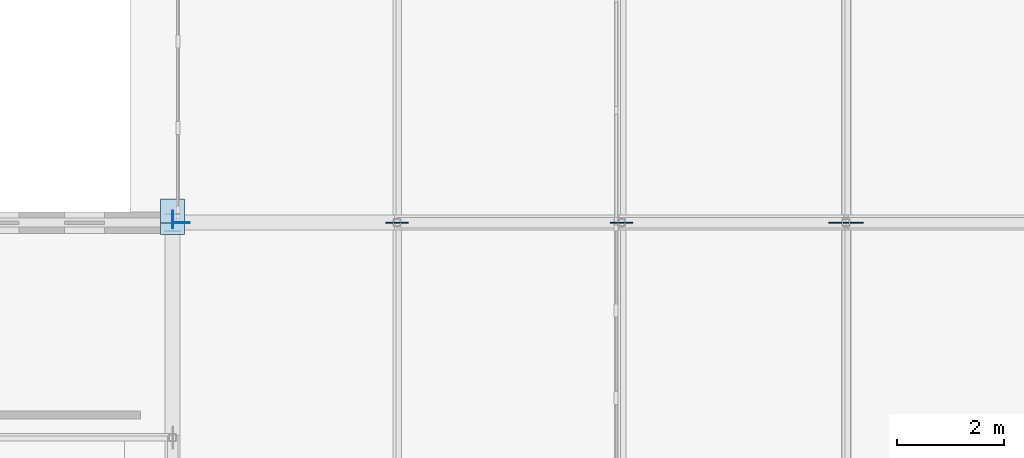
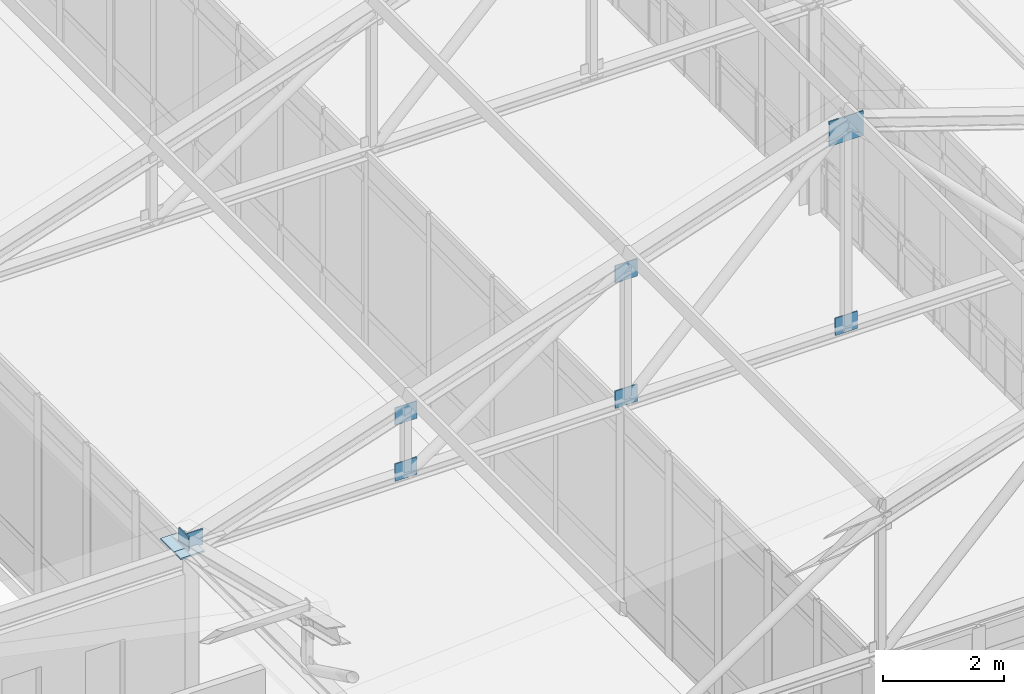
# One storey, part 140 of 192: 10 plates.
"""IFC4 building model written with IfcOpenShell, lengths in metres."""

from ifc_helpers import new_model, si_unit, direction, frame, origin, origin_2d, place, context, subcontext, project, spatial, rectangle, extrude, material, layer, layer_set, type_object, element, save


model = new_model("IFC4")

# Units and contexts
model_context = context("Model", 3, precision=1e-05, world=origin(), true_north=direction((0.0, 1.0)))
body_context = subcontext(model_context, "Body", "Model", "MODEL_VIEW")
ifc_project = project(units=[si_unit("LENGTHUNIT", "METRE"), si_unit("AREAUNIT", "SQUARE_METRE"), si_unit("VOLUMEUNIT", "CUBIC_METRE"), si_unit("PLANEANGLEUNIT", "RADIAN"), si_unit("MASSUNIT", "GRAM", prefix="KILO")], contexts=[model_context])

# Site, building, storey
site_placement = place(None, origin())
site = spatial("IfcSite", under=ifc_project, at=site_placement, CompositionType="ELEMENT")
building_placement = place(site_placement, origin())
building = spatial("IfcBuilding", under=site, at=building_placement, Name="Kveldsbrygga Polytechnic", CompositionType="ELEMENT")
storey_placement = place(building_placement, frame((0.0, 0.0, 5.43994140625)))
storey = spatial("IfcBuildingStorey", under=building, at=storey_placement, Name="L01", CompositionType="ELEMENT", Elevation=5.43994140625)

# Plates
ifc_material = material(Name="Steel S355", Category="steel")
ifc_layer_1 = layer(ifc_material, 0.030029296875)
ifc_layer_set_1 = layer_set([ifc_layer_1], Name="Steel S355")
plate_type_1 = type_object("IfcPlateType", Name="CAP-BEAR-450", PredefinedType="SHEET", material=ifc_layer_set_1)
for number, where, z_axis, x_axis, name in (
    (1, (50.39990234375, 25.419921875, 4.08984375), (0.0, 0.0, 1.0), (1.0, 0.0, 0.0), "Truss Bearing Plate V5S-T07-B"),
    (2, (50.39990234375, 25.199951171875, 4.08984375), (0.0, 0.0, 1.0), (1.0, 0.0, 0.0), "Truss Bearing Plate V5C-T03-A"),
):
    element("IfcPlate", number, at=place(storey_placement, frame(where, z_axis=z_axis, x_axis=x_axis)), inside=storey, type_object=plate_type_1, Name=name, PredefinedType="SHEET", context=body_context, shape_type="SweptSolid", body=[
        extrude(rectangle(XDim=0.449951171875, YDim=0.449951171875, at=origin_2d()), origin(), (0.0, 0.0, 1.0), 0.030029296875),
    ])
ifc_layer_2 = layer(ifc_material, 0.02490234375)
ifc_layer_set_2 = layer_set([ifc_layer_2], Name="Steel S355")
plate_type_2 = type_object("IfcPlateType", Name="GUS-APEX-650", PredefinedType="SHEET", material=ifc_layer_set_2)
plate_1_placement = place(storey_placement, frame((63.0, 25.199951171875, 7.920166015625), z_axis=(0.0, 0.0, 1.0), x_axis=(1.0, 0.0, 0.0)))
element("IfcPlate", 3, at=plate_1_placement, inside=storey, type_object=plate_type_2, Name="Truss Gusset Plate V5C-T03-GP-3", PredefinedType="SHEET", context=body_context, shape_type="SweptSolid", body=[
    extrude(rectangle(XDim=0.64990234375, YDim=0.02490234375, at=origin_2d()), origin(), (0.0, 0.0, 1.0), 0.5),
])
ifc_layer_3 = layer(ifc_material, 0.01806640625)
ifc_layer_set_3 = layer_set([ifc_layer_3], Name="Steel S355")
plate_type_3 = type_object("IfcPlateType", Name="GUS-BRACE-320", PredefinedType="SHEET", material=ifc_layer_set_3)
plate_2_placement = place(storey_placement, frame((50.39990234375, 25.260009765625, 4.080078125), z_axis=(0.0, 0.0, 1.0), x_axis=(1.0, 0.0, 0.0)))
element("IfcPlate", 4, at=plate_2_placement, inside=storey, type_object=plate_type_3, Name="Truss Eaves Node Gusset V5S-T07-EGP-B", PredefinedType="SHEET", context=body_context, shape_type="SweptSolid", body=[
    extrude(rectangle(XDim=0.01806640625, YDim=0.320068359375, at=origin_2d()), origin(), (0.0, 0.0, 1.0), 0.320068359375),
])
plate_3_placement = place(storey_placement, frame((50.56005859375, 25.199951171875, 4.080078125), z_axis=(0.0, 0.0, 1.0), x_axis=(1.0, 0.0, 0.0)))
element("IfcPlate", 5, at=plate_3_placement, inside=storey, type_object=plate_type_3, Name="Truss Eaves Node Gusset V5C-T03-EGP-A", PredefinedType="SHEET", context=body_context, shape_type="SweptSolid", body=[
    extrude(rectangle(XDim=0.320068359375, YDim=0.01806640625, at=origin_2d()), origin(), (0.0, 0.0, 1.0), 0.320068359375),
])
ifc_layer_4 = layer(ifc_material, 0.02001953125)
ifc_layer_set_4 = layer_set([ifc_layer_4], Name="Steel S355")
plate_type_4 = type_object("IfcPlateType", Name="GUS-LECT-420", PredefinedType="SHEET", material=ifc_layer_set_4)
for number, where, z_axis, x_axis, name in (
    (6, (54.60009765625, 25.199951171875, 5.195068359375), (0.0, 0.0, 1.0), (1.0, 0.0, 0.0), "Truss Gusset Plate V5C-T03-GP-1"),
    (7, (54.60009765625, 25.199951171875, 4.06494140625), (0.0, 0.0, 1.0), (1.0, 0.0, 0.0), "Truss Bottom-Chord Node Gusset V5C-T03-BGP-1"),
    (8, (58.800048828125, 25.199951171875, 6.594970703125), (0.0, 0.0, 1.0), (1.0, 0.0, 0.0), "Truss Gusset Plate V5C-T03-GP-2"),
    (9, (58.800048828125, 25.199951171875, 4.06494140625), (0.0, 0.0, 1.0), (1.0, 0.0, 0.0), "Truss Bottom-Chord Node Gusset V5C-T03-BGP-2"),
    (10, (63.0, 25.199951171875, 4.06494140625), (0.0, 0.0, 1.0), (1.0, 0.0, 0.0), "Truss Bottom-Chord Node Gusset V5C-T03-BGP-3"),
):
    element("IfcPlate", number, at=place(storey_placement, frame(where, z_axis=z_axis, x_axis=x_axis)), inside=storey, type_object=plate_type_4, Name=name, PredefinedType="SHEET", context=body_context, shape_type="SweptSolid", body=[
        extrude(rectangle(XDim=0.419921875, YDim=0.02001953125, at=origin_2d()), origin(), (0.0, 0.0, 1.0), 0.35009765625),
    ])

save(model, "model.ifc")
